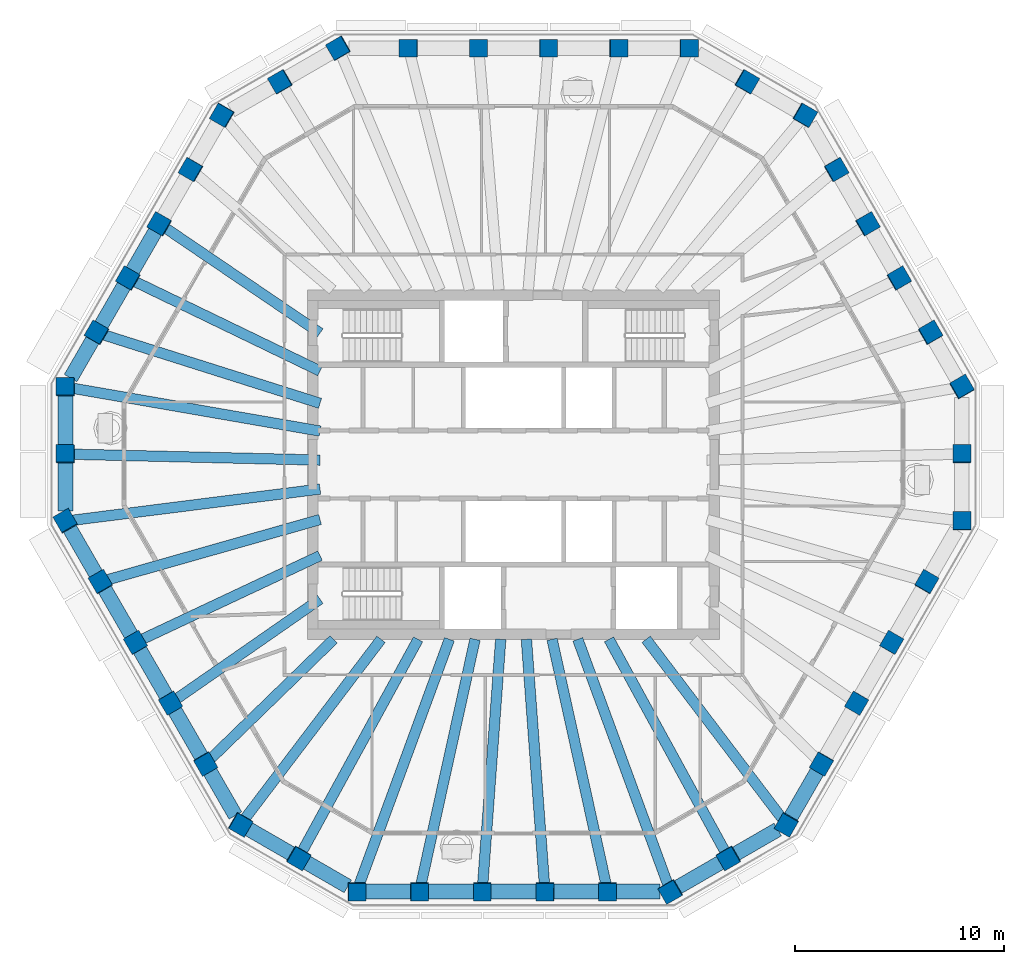
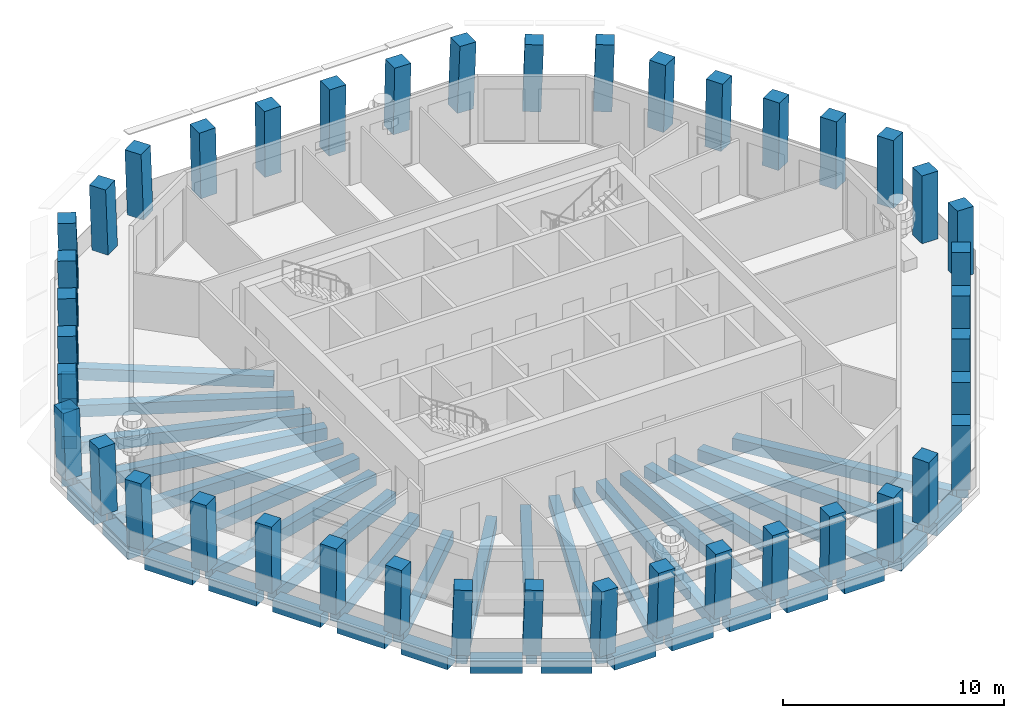
# One storey, part 1 of 11: 42 columns, 40 beams.
"""IFC4 building model written with IfcOpenShell, lengths in metres."""

import ifcopenshell
import ifcopenshell.guid

model = None  # the IFC model being written
_history = None  # IfcOwnerHistory: only IFC2X3 demands one
_inside = {}  # id of a spatial element -> (the spatial element, [elements in it])
_under = {}  # id of a project, library or spatial element -> (it, [spatial elements below it])
_declared = {}  # id of a project -> (the project, [libraries it declares])
_typed = {}  # id of a type object -> (the type object, [elements of that type])
_made_of = {}  # id of a material, layer set ... -> (it, [elements and type objects made of it])


def new_model(schema):
    """Start an empty IFC model of exactly this schema.

    Asked for "IFC4X3", IfcOpenShell would pick the latest addendum, in which some entities
    have other attributes; the version numbers below select the first issue.
    IFC2X3 requires an IfcOwnerHistory on every rooted entity: one is made here for all.
    """
    global model, _history
    if schema == "IFC4X3":
        model = ifcopenshell.file(schema_version=(4, 3, 0, 0))
    else:
        model = ifcopenshell.file(schema=schema)
    _inside.clear()
    _under.clear()
    _declared.clear()
    _typed.clear()
    _made_of.clear()
    _history = None
    if model.schema == "IFC2X3":
        org = make("IfcOrganization", Name="unknown")
        user = make(
            "IfcPersonAndOrganization",
            ThePerson=make("IfcPerson", FamilyName="unknown"),
            TheOrganization=org,
        )
        app = make(
            "IfcApplication",
            ApplicationDeveloper=org,
            Version="unknown",
            ApplicationFullName="unknown",
            ApplicationIdentifier="unknown",
        )
        _history = make(
            "IfcOwnerHistory",
            OwningUser=user,
            OwningApplication=app,
            ChangeAction="ADDED",
            CreationDate=0,
        )
    return model


def make(cls, **values):
    """One entity of the class cls with the attributes given. An attribute that is None is left unset."""
    return model.create_entity(
        cls, **{name: value for name, value in values.items() if value is not None}
    )


def rooted(cls, **values):
    """An entity with a GlobalId (a new one), such as an element, a storey or a relation."""
    return make(cls, GlobalId=ifcopenshell.guid.new(), OwnerHistory=_history, **values)


def si_unit(unit_type, name, prefix=None):
    """IfcSIUnit, for example si_unit("LENGTHUNIT", "METRE", prefix="MILLI")."""
    return make("IfcSIUnit", UnitType=unit_type, Prefix=prefix, Name=name)


def assignment(units):
    """IfcUnitAssignment: the units of a project."""
    return None if units is None else make("IfcUnitAssignment", Units=units)


def point(xyz):
    """IfcCartesianPoint."""
    return None if xyz is None else make("IfcCartesianPoint", Coordinates=xyz)


def direction(xyz):
    """IfcDirection."""
    return None if xyz is None else make("IfcDirection", DirectionRatios=xyz)


def frame(location, z_axis=None, x_axis=None):
    """IfcAxis2Placement3D, a coordinate frame: its origin and axes. An axis left out is left unset."""
    return make(
        "IfcAxis2Placement3D",
        Location=point(location),
        Axis=direction(z_axis),
        RefDirection=direction(x_axis),
    )


def frame_2d(location, x_axis=None):
    """IfcAxis2Placement2D, a coordinate frame in the plane: its origin and x axis."""
    return make(
        "IfcAxis2Placement2D", Location=point(location), RefDirection=direction(x_axis)
    )


def origin():
    """The frame at (0, 0, 0) with its axes left unset."""
    return frame((0.0, 0.0, 0.0))


def origin_2d():
    """The frame at (0, 0) in the plane with its x axis left unset."""
    return frame_2d((0.0, 0.0))


def place(relative_to, where):
    """IfcLocalPlacement: puts the frame where relative to a parent placement (None: the world)."""
    return make(
        "IfcLocalPlacement", PlacementRelTo=relative_to, RelativePlacement=where
    )


def context(
    kind, dimensions, precision=None, world=None, true_north=None, identifier=None
):
    """IfcGeometricRepresentationContext, for example the 3D "Model" context."""
    return make(
        "IfcGeometricRepresentationContext",
        ContextIdentifier=identifier,
        ContextType=kind,
        CoordinateSpaceDimension=dimensions,
        Precision=precision,
        WorldCoordinateSystem=world,
        TrueNorth=true_north,
    )


def subcontext(parent, identifier, kind, view, scale=None):
    """IfcGeometricRepresentationSubContext, for example "Body" below "Model"."""
    return make(
        "IfcGeometricRepresentationSubContext",
        ContextIdentifier=identifier,
        ContextType=kind,
        ParentContext=parent,
        TargetScale=scale,
        TargetView=view,
    )


def project(units=None, contexts=None):
    """IfcProject with its units and contexts."""
    return rooted(
        "IfcProject",
        Name="project",
        RepresentationContexts=contexts,
        UnitsInContext=assignment(units),
    )


def spatial(cls, under=None, at=None, **own):
    """A site, building, storey or space (cls), placed at a placement, below another one or the project."""
    s = rooted(cls, ObjectPlacement=at, **own)
    if under is not None:
        _under.setdefault(under.id(), (under, []))[1].append(s)
    return s


def profile(cls, at=None, kind="AREA", **sizes):
    """A parametric profile (cls). Its sizes go by their IFC names, for example OverallWidth=200.0."""
    return make(cls, ProfileType=kind, Position=at, **sizes)


def rectangle(**sizes):
    """IfcRectangleProfileDef."""
    return profile("IfcRectangleProfileDef", **sizes)


def extrude(swept, where, along, depth):
    """IfcExtrudedAreaSolid: the profile swept, set in the frame where, extruded along a direction by depth."""
    return make(
        "IfcExtrudedAreaSolid",
        SweptArea=swept,
        Position=where,
        ExtrudedDirection=direction(along),
        Depth=depth,
    )


def shape(context_of_items, identifier, shape_type, items):
    """IfcShapeRepresentation: the items that make up one representation, for example the "Body"."""
    return make(
        "IfcShapeRepresentation",
        ContextOfItems=context_of_items,
        RepresentationIdentifier=identifier,
        RepresentationType=shape_type,
        Items=items,
    )


def material(Name=None, Category=None):
    """IfcMaterial."""
    return make("IfcMaterial", Name=Name, Category=Category)


def material_profile(
    of_material, cross_section, Name=None, Category=None, Priority=None
):
    """IfcMaterialProfile: a cross section and its material."""
    return make(
        "IfcMaterialProfile",
        Name=Name,
        Material=of_material,
        Profile=cross_section,
        Priority=Priority,
        Category=Category,
    )


def profile_set(profiles, Name=None, composite=None):
    """IfcMaterialProfileSet."""
    return make(
        "IfcMaterialProfileSet",
        Name=Name,
        MaterialProfiles=profiles,
        CompositeProfile=composite,
    )


def made_of(thing, what):
    """Note that an element or type object is made of a material, layer set ...; save() writes the relation."""
    if what is not None:
        _made_of.setdefault(what.id(), (what, []))[1].append(thing)
    return thing


def type_object(cls, material=None, **own):
    """A type object (cls), such as IfcWallType, which elements share."""
    return made_of(rooted(cls, **own), material)


def element(
    cls,
    number,
    at=None,
    inside=None,
    cuts=None,
    type_object=None,
    material=None,
    context=None,
    identifier="Body",
    shape_type=None,
    held_by="IfcProductDefinitionShape",
    body=None,
    shapes=None,
    **own,
):
    """One element of the class cls, such as IfcWall. Its Tag is "e" and its number.

    at: its placement. inside: the storey or other place that contains it. cuts: it is an
    opening in that element (IfcRelVoidsElement). A single representation is given by context,
    identifier, shape_type and body (its items); several are given by shapes. held_by: the class
    of the entity that holds the representations. save() writes the other relations.
    """
    e = rooted(cls, Tag="e%d" % number, ObjectPlacement=at, **own)
    if body is not None:
        shapes = [shape(context, identifier, shape_type, body)]
    if shapes is not None:
        e.Representation = make(held_by, Representations=shapes)
    if inside is not None:
        _inside.setdefault(inside.id(), (inside, []))[1].append(e)
    if cuts is not None:
        rooted(
            "IfcRelVoidsElement", RelatingBuildingElement=cuts, RelatedOpeningElement=e
        )
    if type_object is not None:
        _typed.setdefault(type_object.id(), (type_object, []))[1].append(e)
    return made_of(e, material)


def aggregate(whole, parts):
    """IfcRelAggregates: a whole, such as a stair, and the parts it consists of."""
    return rooted("IfcRelAggregates", RelatingObject=whole, RelatedObjects=parts)


def save(model, path):
    """Write the relations noted so far, then the file.

    IfcRelAggregates (storeys below a building ...), IfcRelContainedInSpatialStructure (elements
    in a storey), IfcRelDefinesByType, IfcRelAssociatesMaterial and IfcRelDeclares: one each for
    every whole, place, type object, material and project.
    """
    for whole, parts in _under.values():
        aggregate(whole, parts)
    for where, things in _inside.values():
        rooted(
            "IfcRelContainedInSpatialStructure",
            RelatedElements=things,
            RelatingStructure=where,
        )
    for kind, things in _typed.values():
        rooted("IfcRelDefinesByType", RelatedObjects=things, RelatingType=kind)
    for what, things in _made_of.values():
        rooted("IfcRelAssociatesMaterial", RelatedObjects=things, RelatingMaterial=what)
    for by, libraries in _declared.values():
        rooted("IfcRelDeclares", RelatingContext=by, RelatedDefinitions=libraries)
    model.write(path)


model = new_model("IFC4")

# Units and contexts
model_context = context("Model", 3, precision=1e-05, world=origin(), true_north=direction((0.0, 1.0)))
body_context = subcontext(model_context, "Body", "Model", "MODEL_VIEW")
ifc_project = project(units=[si_unit("LENGTHUNIT", "METRE"), si_unit("AREAUNIT", "SQUARE_METRE"), si_unit("VOLUMEUNIT", "CUBIC_METRE"), si_unit("PLANEANGLEUNIT", "RADIAN"), si_unit("MASSUNIT", "GRAM", prefix="KILO")], contexts=[model_context])

# Site, building, storey
site_placement = place(None, origin())
site = spatial("IfcSite", under=ifc_project, at=site_placement, CompositionType="ELEMENT")
building_placement = place(site_placement, origin())
building = spatial("IfcBuilding", under=site, at=building_placement, Name="Frailejon Research Tower", CompositionType="ELEMENT")
storey_placement = place(building_placement, frame((0.0, 0.0, 324.60009765625)))
storey = spatial("IfcBuildingStorey", under=building, at=storey_placement, Name="L72", CompositionType="ELEMENT", Elevation=324.60009765625)

# Columns
ifc_material_1 = material(Name="Concrete C50/60", Category="concrete")
ifc_material_profile_1 = material_profile(ifc_material_1, rectangle(XDim=0.85009765625, YDim=0.85009765625, at=origin_2d()), Name="Column 850")
ifc_profile_set_1 = profile_set([ifc_material_profile_1], Name="Concrete C50/60")
column_type = type_object("IfcColumnType", Name="Column 850", PredefinedType="COLUMN", material=ifc_profile_set_1)
for number, where, z_axis, x_axis, name in (
    (1, (21.417724609375, -2.703125, 0.0), (0.018115165867, 0.031417446337, 0.999342176049), (-0.001297375745, 0.999506085267, -0.031399081689), "Column C01"),
    (2, (21.417724609375, 0.502685546875, 0.0), (0.018115165867, 0.031417446337, 0.999342176049), (-0.001297375745, 0.999506085267, -0.031399081689), "Column C02"),
    (3, (21.417724609375, 3.708984375, 0.0), (0.018115203871, 0.031350666477, 0.999344272561), (-0.50024246066, 0.865696385282, -0.018090026613), "Column C03"),
):
    element("IfcColumn", number, at=place(storey_placement, frame(where, z_axis=z_axis, x_axis=x_axis)), inside=storey, type_object=column_type, Name=name, PredefinedType="COLUMN", context=body_context, shape_type="SweptSolid", body=[
        extrude(rectangle(XDim=0.85009765625, YDim=0.85009765625, at=origin_2d()), origin(), (0.0, 0.0, 1.0), 3.65234375),
    ])
column_1_placement = place(storey_placement, frame((19.91845703125, 6.305908203125, 0.0), z_axis=(0.021727128018, 0.025136615799, 0.999447888814), x_axis=(-0.500981292203, 0.865389796007, -0.010874089855)))
element("IfcColumn", 4, at=column_1_placement, inside=storey, type_object=column_type, Name="Column C04", PredefinedType="COLUMN", context=body_context, shape_type="SweptSolid", body=[
    extrude(rectangle(XDim=0.85009765625, YDim=0.85009765625, at=origin_2d()), origin(), (0.0, 0.0, 1.0), 3.65185546875),
])
for number, where, z_axis, x_axis, name in (
    (5, (18.419189453125, 8.90283203125, 0.0), (0.025338523594, 0.018853466104, 0.999501128583), (-0.501175757197, 0.865337954228, -0.003617370643), "Column C05"),
    (6, (16.919677734375, 11.5, 0.0), (0.029015583354, 0.012568962375, 0.99949993352), (-0.499848966802, 0.86610502362, 0.003619177736), "Column C06"),
):
    element("IfcColumn", number, at=place(storey_placement, frame(where, z_axis=z_axis, x_axis=x_axis)), inside=storey, type_object=column_type, Name=name, PredefinedType="COLUMN", context=body_context, shape_type="SweptSolid", body=[
        extrude(rectangle(XDim=0.85009765625, YDim=0.85009765625, at=origin_2d()), origin(), (0.0, 0.0, 1.0), 3.651611328125),
    ])
column_2_placement = place(storey_placement, frame((15.42041015625, 14.096923828125, 0.0), z_axis=(0.032624119908, 0.006284154245, 0.999447935715), x_axis=(-0.499397268022, 0.866305114166, 0.010854393717)))
element("IfcColumn", 7, at=column_2_placement, inside=storey, type_object=column_type, Name="Column C07", PredefinedType="COLUMN", context=body_context, shape_type="SweptSolid", body=[
    extrude(rectangle(XDim=0.85009765625, YDim=0.85009765625, at=origin_2d()), origin(), (0.0, 0.0, 1.0), 3.65185546875),
])
for number, where, z_axis, x_axis, name in (
    (8, (13.9208984375, 16.69384765625, 0.0), (0.036297136169, 0.0, 0.99934104184), (-0.865312543657, 0.500246354177, 0.031429077673), "Column C08"),
    (9, (11.144287109375, 18.297119140625, 0.0), (0.036297136169, 0.0, 0.99934104184), (-0.865312543657, 0.500246354177, 0.031429077673), "Column C09"),
    (10, (8.367919921875, 19.89990234375, 0.0), (0.036230378439, 0.0, 0.99934346432), (-0.99934346432, 0.0, 0.036230378439), "Column C10"),
):
    element("IfcColumn", number, at=place(storey_placement, frame(where, z_axis=z_axis, x_axis=x_axis)), inside=storey, type_object=column_type, Name=name, PredefinedType="COLUMN", context=body_context, shape_type="SweptSolid", body=[
        extrude(rectangle(XDim=0.85009765625, YDim=0.85009765625, at=origin_2d()), origin(), (0.0, 0.0, 1.0), 3.65234375),
    ])
column_3_placement = place(storey_placement, frame((5.020751953125, 19.89990234375, 0.0), z_axis=(0.021733995409, 0.0, 0.999763788824), x_axis=(-0.999763788824, 0.0, 0.021733995409)))
element("IfcColumn", 11, at=column_3_placement, inside=storey, type_object=column_type, Name="Column C11", PredefinedType="COLUMN", context=body_context, shape_type="SweptSolid", body=[
    extrude(rectangle(XDim=0.85009765625, YDim=0.85009765625, at=origin_2d()), origin(), (0.0, 0.0, 1.0), 3.65087890625),
])
for number, where, z_axis, x_axis, name in (
    (12, (1.673583984375, 19.89990234375, 0.0), (0.00729077612, 0.0, 0.999973421939), (-0.999973421939, 0.0, 0.00729077612), "Column C12"),
    (13, (-1.673583984375, 19.89990234375, 0.0), (-0.00729077612, 0.0, 0.999973421939), (-0.999973421939, 0.0, -0.00729077612), "Column C13"),
):
    element("IfcColumn", number, at=place(storey_placement, frame(where, z_axis=z_axis, x_axis=x_axis)), inside=storey, type_object=column_type, Name=name, PredefinedType="COLUMN", context=body_context, shape_type="SweptSolid", body=[
        extrude(rectangle(XDim=0.85009765625, YDim=0.85009765625, at=origin_2d()), origin(), (0.0, 0.0, 1.0), 3.64990234375),
    ])
column_4_placement = place(storey_placement, frame((-5.020751953125, 19.89990234375, 0.0), z_axis=(-0.021733995409, 0.0, 0.999763788824), x_axis=(-0.999763788824, 0.0, -0.021733995409)))
element("IfcColumn", 14, at=column_4_placement, inside=storey, type_object=column_type, Name="Column C14", PredefinedType="COLUMN", context=body_context, shape_type="SweptSolid", body=[
    extrude(rectangle(XDim=0.85009765625, YDim=0.85009765625, at=origin_2d()), origin(), (0.0, 0.0, 1.0), 3.65087890625),
])
for number, where, z_axis, x_axis, name in (
    (15, (-8.367919921875, 19.89990234375, 0.0), (-0.036230378439, 0.0, 0.99934346432), (-0.865314641241, -0.500246354177, -0.031371273281), "Column C15"),
    (16, (-11.144287109375, 18.297119140625, 0.0), (-0.036297136169, 0.0, 0.99934104184), (-0.865312543657, -0.500246354177, -0.031429077673), "Column C16"),
    (17, (-13.9208984375, 16.69384765625, 0.0), (-0.036297136169, 0.0, 0.99934104184), (-0.49942428864, -0.866167613071, -0.018139624664), "Column C17"),
):
    element("IfcColumn", number, at=place(storey_placement, frame(where, z_axis=z_axis, x_axis=x_axis)), inside=storey, type_object=column_type, Name=name, PredefinedType="COLUMN", context=body_context, shape_type="SweptSolid", body=[
        extrude(rectangle(XDim=0.85009765625, YDim=0.85009765625, at=origin_2d()), origin(), (0.0, 0.0, 1.0), 3.65234375),
    ])
column_5_placement = place(storey_placement, frame((-15.42041015625, 14.096923828125, 0.0), z_axis=(-0.032624119908, 0.006284154245, 0.999447935715), x_axis=(-0.499397268022, -0.866305114166, -0.010854393717)))
element("IfcColumn", 18, at=column_5_placement, inside=storey, type_object=column_type, Name="Column C18", PredefinedType="COLUMN", context=body_context, shape_type="SweptSolid", body=[
    extrude(rectangle(XDim=0.85009765625, YDim=0.85009765625, at=origin_2d()), origin(), (0.0, 0.0, 1.0), 3.65185546875),
])
for number, where, z_axis, x_axis, name in (
    (19, (-16.919677734375, 11.5, 0.0), (-0.029015583354, 0.012568962375, 0.99949993352), (-0.499848966802, -0.86610502362, -0.003619177736), "Column C19"),
    (20, (-18.419189453125, 8.90283203125, 0.0), (-0.025338523594, 0.018853466104, 0.999501128583), (-0.501175757197, -0.865337954228, 0.003617370643), "Column C20"),
):
    element("IfcColumn", number, at=place(storey_placement, frame(where, z_axis=z_axis, x_axis=x_axis)), inside=storey, type_object=column_type, Name=name, PredefinedType="COLUMN", context=body_context, shape_type="SweptSolid", body=[
        extrude(rectangle(XDim=0.85009765625, YDim=0.85009765625, at=origin_2d()), origin(), (0.0, 0.0, 1.0), 3.651611328125),
    ])
column_6_placement = place(storey_placement, frame((-19.91845703125, 6.305908203125, 0.0), z_axis=(-0.021727128018, 0.025136615799, 0.999447888814), x_axis=(-0.500981292203, -0.865389796007, 0.010874089855)))
element("IfcColumn", 21, at=column_6_placement, inside=storey, type_object=column_type, Name="Column C21", PredefinedType="COLUMN", context=body_context, shape_type="SweptSolid", body=[
    extrude(rectangle(XDim=0.85009765625, YDim=0.85009765625, at=origin_2d()), origin(), (0.0, 0.0, 1.0), 3.65185546875),
])
for number, where, z_axis, x_axis, name in (
    (22, (-21.417724609375, 3.708984375, 0.0), (-0.018115203871, 0.031350666477, 0.999344272561), (-0.000374749584, -0.999508428335, 0.031349023127), "Column C22"),
    (23, (-21.417724609375, 0.502685546875, 0.0), (-0.018115165867, 0.031417446337, 0.999342176049), (-0.001297375745, -0.999506085267, 0.031399081689), "Column C23"),
    (24, (-21.417724609375, -2.703125, 0.0), (-0.018115165867, 0.031417446337, 0.999342176049), (0.499040470376, -0.865819492615, 0.036265894916), "Column C24"),
):
    element("IfcColumn", number, at=place(storey_placement, frame(where, z_axis=z_axis, x_axis=x_axis)), inside=storey, type_object=column_type, Name=name, PredefinedType="COLUMN", context=body_context, shape_type="SweptSolid", body=[
        extrude(rectangle(XDim=0.85009765625, YDim=0.85009765625, at=origin_2d()), origin(), (0.0, 0.0, 1.0), 3.65234375),
    ])
column_7_placement = place(storey_placement, frame((-19.744384765625, -5.601806640625, 0.0), z_axis=(-0.010833570963, 0.018791564448, 0.999764727746), x_axis=(0.499616210892, -0.865975261025, 0.021690760837)))
element("IfcColumn", 25, at=column_7_placement, inside=storey, type_object=column_type, Name="Column C25", PredefinedType="COLUMN", context=body_context, shape_type="SweptSolid", body=[
    extrude(rectangle(XDim=0.85009765625, YDim=0.85009765625, at=origin_2d()), origin(), (0.0, 0.0, 1.0), 3.65087890625),
])
for number, where, z_axis, x_axis, name in (
    (26, (-18.07080078125, -8.50048828125, 0.0), (-0.003611946686, 0.006220574848, 0.99997412881), (0.501902146393, -0.864894498618, 0.007193170855), "Column C26"),
    (27, (-16.397216796875, -11.3994140625, 0.0), (0.003678832152, -0.006287458586, 0.999973466677), (0.504779041216, -0.863217848293, -0.007284637124), "Column C27"),
):
    element("IfcColumn", number, at=place(storey_placement, frame(where, z_axis=z_axis, x_axis=x_axis)), inside=storey, type_object=column_type, Name=name, PredefinedType="COLUMN", context=body_context, shape_type="SweptSolid", body=[
        extrude(rectangle(XDim=0.85009765625, YDim=0.85009765625, at=origin_2d()), origin(), (0.0, 0.0, 1.0), 3.64990234375),
    ])
column_8_placement = place(storey_placement, frame((-14.7236328125, -14.298095703125, 0.0), z_axis=(0.010900423214, -0.018858400897, 0.999762742599), x_axis=(0.499728924135, -0.865907930491, -0.021782063614)))
element("IfcColumn", 28, at=column_8_placement, inside=storey, type_object=column_type, Name="Column C28", PredefinedType="COLUMN", context=body_context, shape_type="SweptSolid", body=[
    extrude(rectangle(XDim=0.85009765625, YDim=0.85009765625, at=origin_2d()), origin(), (0.0, 0.0, 1.0), 3.65087890625),
])
for number, where, z_axis, x_axis, name in (
    (29, (-13.050048828125, -17.19677734375, 0.0), (0.018115165867, -0.031417446337, 0.999342176049), (0.865519692755, -0.499889378995, -0.031404939456), "Column C29"),
    (30, (-10.2734375, -18.7998046875, 0.0), (0.018115165867, -0.031417446337, 0.999342176049), (0.865519692755, -0.499889378995, -0.031404939456), "Column C30"),
    (31, (-7.496826171875, -20.40283203125, 0.0), (0.018115165867, -0.031417446337, 0.999342176049), (0.999835642796, -0.000157281862, -0.01812905563), "Column C31"),
):
    element("IfcColumn", number, at=place(storey_placement, frame(where, z_axis=z_axis, x_axis=x_axis)), inside=storey, type_object=column_type, Name=name, PredefinedType="COLUMN", context=body_context, shape_type="SweptSolid", body=[
        extrude(rectangle(XDim=0.85009765625, YDim=0.85009765625, at=origin_2d()), origin(), (0.0, 0.0, 1.0), 3.65234375),
    ])
column_9_placement = place(storey_placement, frame((-4.498291015625, -20.40283203125, 0.0), z_axis=(0.010896978963, -0.031420736888, 0.99944684358), x_axis=(0.999940625187, 0.000298260455, -0.010892985919)))
element("IfcColumn", 32, at=column_9_placement, inside=storey, type_object=column_type, Name="Column C32", PredefinedType="COLUMN", context=body_context, shape_type="SweptSolid", body=[
    extrude(rectangle(XDim=0.85009765625, YDim=0.85009765625, at=origin_2d()), origin(), (0.0, 0.0, 1.0), 3.65185546875),
])
for number, where, z_axis, x_axis, name in (
    (33, (-1.49951171875, -20.40283203125, 0.0), (0.003677088207, -0.031422390136, 0.999499430926), (0.999991889166, 0.001758100758, -0.003623628532), "Column C33"),
    (34, (1.49951171875, -20.40283203125, 0.0), (-0.003677088207, -0.031422390136, 0.999499430926), (0.999991889166, -0.001758100758, 0.003623628532), "Column C34"),
):
    element("IfcColumn", number, at=place(storey_placement, frame(where, z_axis=z_axis, x_axis=x_axis)), inside=storey, type_object=column_type, Name=name, PredefinedType="COLUMN", context=body_context, shape_type="SweptSolid", body=[
        extrude(rectangle(XDim=0.85009765625, YDim=0.85009765625, at=origin_2d()), origin(), (0.0, 0.0, 1.0), 3.651611328125),
    ])
column_10_placement = place(storey_placement, frame((4.498291015625, -20.40283203125, 0.0), z_axis=(-0.010896978963, -0.031420736888, 0.99944684358), x_axis=(0.999940625187, -0.000298260455, 0.010892985919)))
element("IfcColumn", 35, at=column_10_placement, inside=storey, type_object=column_type, Name="Column C35", PredefinedType="COLUMN", context=body_context, shape_type="SweptSolid", body=[
    extrude(rectangle(XDim=0.85009765625, YDim=0.85009765625, at=origin_2d()), origin(), (0.0, 0.0, 1.0), 3.65185546875),
])
for number, where, z_axis, x_axis, name in (
    (36, (7.496826171875, -20.40283203125, 0.0), (-0.018115165867, -0.031417446337, 0.999342176049), (0.865519692755, 0.499889378995, 0.031404939456), "Column C36"),
    (37, (10.2734375, -18.7998046875, 0.0), (-0.018115165867, -0.031417446337, 0.999342176049), (0.865519692755, 0.499889378995, 0.031404939456), "Column C37"),
    (38, (13.050048828125, -17.19677734375, 0.0), (-0.018115165867, -0.031417446337, 0.999342176049), (0.499040470376, 0.865819492615, 0.036265894916), "Column C38"),
):
    element("IfcColumn", number, at=place(storey_placement, frame(where, z_axis=z_axis, x_axis=x_axis)), inside=storey, type_object=column_type, Name=name, PredefinedType="COLUMN", context=body_context, shape_type="SweptSolid", body=[
        extrude(rectangle(XDim=0.85009765625, YDim=0.85009765625, at=origin_2d()), origin(), (0.0, 0.0, 1.0), 3.65234375),
    ])
column_11_placement = place(storey_placement, frame((14.7236328125, -14.298095703125, 0.0), z_axis=(-0.010900423214, -0.018858400897, 0.999762742599), x_axis=(0.499728924135, 0.865907930491, 0.021782063614)))
element("IfcColumn", 39, at=column_11_placement, inside=storey, type_object=column_type, Name="Column C39", PredefinedType="COLUMN", context=body_context, shape_type="SweptSolid", body=[
    extrude(rectangle(XDim=0.85009765625, YDim=0.85009765625, at=origin_2d()), origin(), (0.0, 0.0, 1.0), 3.65087890625),
])
for number, where, z_axis, x_axis, name in (
    (40, (16.397216796875, -11.3994140625, 0.0), (-0.003678832152, -0.006287458586, 0.999973466677), (0.504779041216, 0.863217848293, 0.007284637124), "Column C40"),
    (41, (18.07080078125, -8.50048828125, 0.0), (0.003611946686, 0.006220574848, 0.99997412881), (0.501902146393, 0.864894498618, -0.007193170855), "Column C41"),
):
    element("IfcColumn", number, at=place(storey_placement, frame(where, z_axis=z_axis, x_axis=x_axis)), inside=storey, type_object=column_type, Name=name, PredefinedType="COLUMN", context=body_context, shape_type="SweptSolid", body=[
        extrude(rectangle(XDim=0.85009765625, YDim=0.85009765625, at=origin_2d()), origin(), (0.0, 0.0, 1.0), 3.64990234375),
    ])
column_12_placement = place(storey_placement, frame((19.744384765625, -5.601806640625, 0.0), z_axis=(0.010833570963, 0.018791564448, 0.999764727746), x_axis=(0.499616210892, 0.865975261025, -0.021690760837)))
element("IfcColumn", 42, at=column_12_placement, inside=storey, type_object=column_type, Name="Column C42", PredefinedType="COLUMN", context=body_context, shape_type="SweptSolid", body=[
    extrude(rectangle(XDim=0.85009765625, YDim=0.85009765625, at=origin_2d()), origin(), (0.0, 0.0, 1.0), 3.65087890625),
])

# Beams
ifc_material_2 = material(Name="Concrete C60/75", Category="concrete")
ifc_material_profile_2 = material_profile(ifc_material_2, rectangle(XDim=0.5, YDim=0.64990234375, at=origin_2d()), Name="Girder 500x650")
ifc_profile_set_2 = profile_set([ifc_material_profile_2], Name="Concrete C60/75")
beam_type_1 = type_object("IfcBeamType", Name="Girder 500x650", PredefinedType="BEAM", material=ifc_profile_set_2)
beam_1_placement = place(storey_placement, frame((-16.69140625, 11.3447265625, -0.625), z_axis=(0.827057698613, -0.562117036892, 0.0), x_axis=(0.562117036892, 0.827057698613, 0.0)))
element("IfcBeam", 43, at=beam_1_placement, inside=storey, type_object=beam_type_1, Name="Girder 500x650", PredefinedType="BEAM", context=body_context, shape_type="SweptSolid", body=[
    extrude(rectangle(XDim=0.5, YDim=0.64990234375, at=origin_2d()), origin(), (0.0, 0.0, 1.0), 8.99755859375),
])
beam_2_placement = place(storey_placement, frame((-18.17041015625, 8.78271484375, -0.625), z_axis=(0.900339619946, -0.435187969453, 0.0), x_axis=(0.435187969453, 0.900339619946, 0.0)))
element("IfcBeam", 44, at=beam_2_placement, inside=storey, type_object=beam_type_1, Name="Girder 500x650", PredefinedType="BEAM", context=body_context, shape_type="SweptSolid", body=[
    extrude(rectangle(XDim=0.5, YDim=0.64990234375, at=origin_2d()), origin(), (0.0, 0.0, 1.0), 9.90771484375),
])
beam_3_placement = place(storey_placement, frame((-19.646484375, 6.2197265625, -0.625), z_axis=(0.953367565963, -0.301811670035, 0.0), x_axis=(0.301811670035, 0.953367565963, 0.0)))
element("IfcBeam", 45, at=beam_3_placement, inside=storey, type_object=beam_type_1, Name="Girder 500x650", PredefinedType="BEAM", context=body_context, shape_type="SweptSolid", body=[
    extrude(rectangle(XDim=0.5, YDim=0.64990234375, at=origin_2d()), origin(), (0.0, 0.0, 1.0), 10.905029296875),
])
beam_4_placement = place(storey_placement, frame((-21.140625, 3.660888671875, -0.625), z_axis=(0.985335334084, -0.170629069638, 0.0), x_axis=(0.170629069638, 0.985335334084, 0.0)))
element("IfcBeam", 46, at=beam_4_placement, inside=storey, type_object=beam_type_1, Name="Girder 500x650", PredefinedType="BEAM", context=body_context, shape_type="SweptSolid", body=[
    extrude(rectangle(XDim=0.5, YDim=0.64990234375, at=origin_2d()), origin(), (0.0, 0.0, 1.0), 12.067626953125),
])
beam_5_placement = place(storey_placement, frame((-21.142822265625, 0.496337890625, -0.625), z_axis=(0.99972483485, -0.023457505927, 0.0), x_axis=(0.023457505927, 0.99972483485, 0.0)))
element("IfcBeam", 47, at=beam_5_placement, inside=storey, type_object=beam_type_1, Name="Girder 500x650", PredefinedType="BEAM", context=body_context, shape_type="SweptSolid", body=[
    extrude(rectangle(XDim=0.5, YDim=0.64990234375, at=origin_2d()), origin(), (0.0, 0.0, 1.0), 11.89599609375),
])
beam_6_placement = place(storey_placement, frame((-21.109130859375, -2.664306640625, -0.625), z_axis=(0.992128535535, 0.125223675787, 0.0), x_axis=(-0.125223675787, 0.992128535535, 0.0)))
element("IfcBeam", 48, at=beam_6_placement, inside=storey, type_object=beam_type_1, Name="Girder 500x650", PredefinedType="BEAM", context=body_context, shape_type="SweptSolid", body=[
    extrude(rectangle(XDim=0.5, YDim=0.64990234375, at=origin_2d()), origin(), (0.0, 0.0, 1.0), 11.953125),
])
beam_7_placement = place(storey_placement, frame((-19.466796875, -5.523193359375, -0.625), z_axis=(0.962029792771, 0.272944459223, 0.0), x_axis=(-0.272944459223, 0.962029792771, 0.0)))
element("IfcBeam", 49, at=beam_7_placement, inside=storey, type_object=beam_type_1, Name="Girder 500x650", PredefinedType="BEAM", context=body_context, shape_type="SweptSolid", body=[
    extrude(rectangle(XDim=0.5, YDim=0.64990234375, at=origin_2d()), origin(), (0.0, 0.0, 1.0), 10.6201171875),
])
beam_8_placement = place(storey_placement, frame((-17.820556640625, -8.3828125, -0.625), z_axis=(0.90488820669, 0.425649307992, 0.0), x_axis=(-0.425649307992, 0.90488820669, 0.0)))
element("IfcBeam", 50, at=beam_8_placement, inside=storey, type_object=beam_type_1, Name="Girder 500x650", PredefinedType="BEAM", context=body_context, shape_type="SweptSolid", body=[
    extrude(rectangle(XDim=0.5, YDim=0.64990234375, at=origin_2d()), origin(), (0.0, 0.0, 1.0), 9.471435546875),
])
beam_9_placement = place(storey_placement, frame((-16.170166015625, -11.24169921875, -0.625), z_axis=(0.821071662985, 0.570825125799, 0.0), x_axis=(-0.570825125799, 0.821071662985, 0.0)))
element("IfcBeam", 51, at=beam_9_placement, inside=storey, type_object=beam_type_1, Name="Girder 500x650", PredefinedType="BEAM", context=body_context, shape_type="SweptSolid", body=[
    extrude(rectangle(XDim=0.5, YDim=0.64990234375, at=origin_2d()), origin(), (0.0, 0.0, 1.0), 8.42822265625),
])
beam_10_placement = place(storey_placement, frame((-14.516845703125, -14.09716796875, -0.625), z_axis=(0.7174179775, 0.696642982854, 0.0), x_axis=(-0.696642982854, 0.7174179775, 0.0)))
element("IfcBeam", 52, at=beam_10_placement, inside=storey, type_object=beam_type_1, Name="Girder 500x650", PredefinedType="BEAM", context=body_context, shape_type="SweptSolid", body=[
    extrude(rectangle(XDim=0.5, YDim=0.64990234375, at=origin_2d()), origin(), (0.0, 0.0, 1.0), 8.249755859375),
])
beam_11_placement = place(storey_placement, frame((-12.881591796875, -16.97509765625, -0.625), z_axis=(0.604507386357, 0.796599535425, 0.0), x_axis=(-0.796599535425, 0.604507386357, 0.0)))
element("IfcBeam", 53, at=beam_11_placement, inside=storey, type_object=beam_type_1, Name="Girder 500x650", PredefinedType="BEAM", context=body_context, shape_type="SweptSolid", body=[
    extrude(rectangle(XDim=0.5, YDim=0.64990234375, at=origin_2d()), origin(), (0.0, 0.0, 1.0), 10.827392578125),
])
beam_12_placement = place(storey_placement, frame((-10.1416015625, -18.558349609375, -0.625), z_axis=(0.479546012428, 0.877516736002, 0.0), x_axis=(-0.877516736002, 0.479546012428, 0.0)))
element("IfcBeam", 54, at=beam_12_placement, inside=storey, type_object=beam_type_1, Name="Girder 500x650", PredefinedType="BEAM", context=body_context, shape_type="SweptSolid", body=[
    extrude(rectangle(XDim=0.5, YDim=0.64990234375, at=origin_2d()), origin(), (0.0, 0.0, 1.0), 11.633056640625),
])
beam_13_placement = place(storey_placement, frame((-7.392578125, -20.11865234375, -0.625), z_axis=(0.344910248484, 0.938635669731, 0.0), x_axis=(-0.938635669731, 0.344910248484, 0.0)))
element("IfcBeam", 55, at=beam_13_placement, inside=storey, type_object=beam_type_1, Name="Girder 500x650", PredefinedType="BEAM", context=body_context, shape_type="SweptSolid", body=[
    extrude(rectangle(XDim=0.5, YDim=0.64990234375, at=origin_2d()), origin(), (0.0, 0.0, 1.0), 12.537841796875),
])
beam_14_placement = place(storey_placement, frame((-4.436767578125, -20.124267578125, -0.625), z_axis=(0.215307144648, 0.9765463806, 0.0), x_axis=(-0.9765463806, 0.215307144648, 0.0)))
element("IfcBeam", 56, at=beam_14_placement, inside=storey, type_object=beam_type_1, Name="Girder 500x650", PredefinedType="BEAM", context=body_context, shape_type="SweptSolid", body=[
    extrude(rectangle(XDim=0.5, YDim=0.64990234375, at=origin_2d()), origin(), (0.0, 0.0, 1.0), 12.056884765625),
])
for number, where, z_axis, x_axis, name in (
    (57, (-1.479248046875, -20.12744140625, -0.625), (0.073309670714, 0.997309225957, 0.0), (-0.997309225957, 0.073309670714, 0.0), "Girder 500x650"),
    (58, (1.479248046875, -20.12744140625, -0.625), (-0.073309670714, 0.997309225957, 0.0), (-0.997309225957, -0.073309670714, 0.0), "Girder 500x650"),
):
    element("IfcBeam", number, at=place(storey_placement, frame(where, z_axis=z_axis, x_axis=x_axis)), inside=storey, type_object=beam_type_1, Name=name, PredefinedType="BEAM", context=body_context, shape_type="SweptSolid", body=[
        extrude(rectangle(XDim=0.5, YDim=0.64990234375, at=origin_2d()), origin(), (0.0, 0.0, 1.0), 11.80908203125),
    ])
beam_15_placement = place(storey_placement, frame((4.436767578125, -20.124267578125, -0.625), z_axis=(-0.215307144648, 0.9765463806, 0.0), x_axis=(-0.9765463806, -0.215307144648, 0.0)))
element("IfcBeam", 59, at=beam_15_placement, inside=storey, type_object=beam_type_1, Name="Girder 500x650", PredefinedType="BEAM", context=body_context, shape_type="SweptSolid", body=[
    extrude(rectangle(XDim=0.5, YDim=0.64990234375, at=origin_2d()), origin(), (0.0, 0.0, 1.0), 12.056884765625),
])
beam_16_placement = place(storey_placement, frame((7.39990234375, -20.138671875, -0.625), z_axis=(-0.344907993791, 0.938636498235, 0.0), x_axis=(-0.938636498235, -0.344907993791, 0.0)))
element("IfcBeam", 60, at=beam_16_placement, inside=storey, type_object=beam_type_1, Name="Girder 500x650", PredefinedType="BEAM", context=body_context, shape_type="SweptSolid", body=[
    extrude(rectangle(XDim=0.5, YDim=0.64990234375, at=origin_2d()), origin(), (0.0, 0.0, 1.0), 12.559326171875),
])
beam_17_placement = place(storey_placement, frame((10.1416015625, -18.558349609375, -0.625), z_axis=(-0.479546012428, 0.877516736002, 0.0), x_axis=(-0.877516736002, -0.479546012428, 0.0)))
element("IfcBeam", 61, at=beam_17_placement, inside=storey, type_object=beam_type_1, Name="Girder 500x650", PredefinedType="BEAM", context=body_context, shape_type="SweptSolid", body=[
    extrude(rectangle(XDim=0.5, YDim=0.64990234375, at=origin_2d()), origin(), (0.0, 0.0, 1.0), 11.633056640625),
])
beam_18_placement = place(storey_placement, frame((12.862060546875, -16.948974609375, -0.625), z_axis=(-0.604524579892, 0.79658648765, 0.0), x_axis=(-0.79658648765, -0.604524579892, 0.0)))
element("IfcBeam", 62, at=beam_18_placement, inside=storey, type_object=beam_type_1, Name="Girder 500x650", PredefinedType="BEAM", context=body_context, shape_type="SweptSolid", body=[
    extrude(rectangle(XDim=0.5, YDim=0.64990234375, at=origin_2d()), origin(), (0.0, 0.0, 1.0), 10.794677734375),
])
ifc_material_3 = material(Name="Concrete C60/75", Category="concrete")
ifc_material_profile_3 = material_profile(ifc_material_3, rectangle(XDim=0.699951171875, YDim=0.699951171875, at=origin_2d()), Name="Spandrel 700x700")
ifc_profile_set_3 = profile_set([ifc_material_profile_3], Name="Concrete C60/75")
beam_type_2 = type_object("IfcBeamType", Name="Spandrel 700x700", PredefinedType="BEAM", material=ifc_profile_set_3)
for number, where, z_axis, x_axis, name in (
    (63, (-17.132080078125, 11.1318359375, -0.7001953125), (-0.500037174102, -0.866003940243, 0.0), (0.866003940243, -0.500037174102, 0.0), "Spandrel 700x700"),
    (64, (-18.631591796875, 8.534912109375, -0.7001953125), (-0.499951956822, -0.866053139749, 0.0), (0.866053139749, -0.499951956822, 0.0), "Spandrel 700x700"),
):
    element("IfcBeam", number, at=place(storey_placement, frame(where, z_axis=z_axis, x_axis=x_axis)), inside=storey, type_object=beam_type_2, Name=name, PredefinedType="BEAM", context=body_context, shape_type="SweptSolid", body=[
        extrude(rectangle(XDim=0.699951171875, YDim=0.699951171875, at=origin_2d()), origin(), (0.0, 0.0, 1.0), 2.148681640625),
    ])
beam_19_placement = place(storey_placement, frame((-20.130859375, 5.937744140625, -0.7001953125), z_axis=(-0.499996383721, -0.866027491634, 0.0), x_axis=(0.866027491634, -0.499996383721, 0.0)))
element("IfcBeam", 65, at=beam_19_placement, inside=storey, type_object=beam_type_2, Name="Spandrel 700x700", PredefinedType="BEAM", context=body_context, shape_type="SweptSolid", body=[
    extrude(rectangle(XDim=0.699951171875, YDim=0.699951171875, at=origin_2d()), origin(), (0.0, 0.0, 1.0), 2.0830078125),
])
beam_20_placement = place(storey_placement, frame((-21.417724609375, 3.283935546875, -0.7001953125), z_axis=(0.0, -1.0, 0.0), x_axis=(1.0, 0.0, 0.0)))
element("IfcBeam", 66, at=beam_20_placement, inside=storey, type_object=beam_type_2, Name="Spandrel 700x700", PredefinedType="BEAM", context=body_context, shape_type="SweptSolid", body=[
    extrude(rectangle(XDim=0.699951171875, YDim=0.699951171875, at=origin_2d()), origin(), (0.0, 0.0, 1.0), 2.356201171875),
])
beam_21_placement = place(storey_placement, frame((-21.417724609375, 0.077880859375, -0.7001953125), z_axis=(0.0, -1.0, 0.0), x_axis=(1.0, 0.0, 0.0)))
element("IfcBeam", 67, at=beam_21_placement, inside=storey, type_object=beam_type_2, Name="Spandrel 700x700", PredefinedType="BEAM", context=body_context, shape_type="SweptSolid", body=[
    extrude(rectangle(XDim=0.699951171875, YDim=0.699951171875, at=origin_2d()), origin(), (0.0, 0.0, 1.0), 2.290283203125),
])
for number, where, z_axis, x_axis, name in (
    (68, (-21.205322265625, -3.0712890625, -0.7001953125), (0.499987630939, -0.866032544947, 0.0), (0.866032544947, 0.499987630939, 0.0), "Spandrel 700x700"),
    (69, (-19.53173828125, -5.969970703125, -0.7001953125), (0.499987630939, -0.866032544947, 0.0), (0.866032544947, 0.499987630939, 0.0), "Spandrel 700x700"),
    (70, (-17.858154296875, -8.86865234375, -0.7001953125), (0.499987630939, -0.866032544947, 0.0), (0.866032544947, 0.499987630939, 0.0), "Spandrel 700x700"),
):
    element("IfcBeam", number, at=place(storey_placement, frame(where, z_axis=z_axis, x_axis=x_axis)), inside=storey, type_object=beam_type_2, Name=name, PredefinedType="BEAM", context=body_context, shape_type="SweptSolid", body=[
        extrude(rectangle(XDim=0.699951171875, YDim=0.699951171875, at=origin_2d()), origin(), (0.0, 0.0, 1.0), 2.4970703125),
    ])
beam_22_placement = place(storey_placement, frame((-16.1845703125, -11.767578125, -0.7001953125), z_axis=(0.50002996819, -0.86600810095, 0.0), x_axis=(0.86600810095, 0.50002996819, 0.0)))
element("IfcBeam", 71, at=beam_22_placement, inside=storey, type_object=beam_type_2, Name="Spandrel 700x700", PredefinedType="BEAM", context=body_context, shape_type="SweptSolid", body=[
    extrude(rectangle(XDim=0.699951171875, YDim=0.699951171875, at=origin_2d()), origin(), (0.0, 0.0, 1.0), 2.496826171875),
])
beam_23_placement = place(storey_placement, frame((-14.510986328125, -14.666259765625, -0.7001953125), z_axis=(0.499994824194, -0.866028392017, 0.0), x_axis=(0.866028392017, 0.499994824194, 0.0)))
element("IfcBeam", 72, at=beam_23_placement, inside=storey, type_object=beam_type_2, Name="Spandrel 700x700", PredefinedType="BEAM", context=body_context, shape_type="SweptSolid", body=[
    extrude(rectangle(XDim=0.699951171875, YDim=0.699951171875, at=origin_2d()), origin(), (0.0, 0.0, 1.0), 2.43115234375),
])
beam_24_placement = place(storey_placement, frame((-12.681884765625, -17.4091796875, -0.7001953125), z_axis=(0.86597676952, -0.500084227558, 0.0), x_axis=(0.500084227558, 0.86597676952, 0.0)))
element("IfcBeam", 73, at=beam_24_placement, inside=storey, type_object=beam_type_2, Name="Spandrel 700x700", PredefinedType="BEAM", context=body_context, shape_type="SweptSolid", body=[
    extrude(rectangle(XDim=0.699951171875, YDim=0.699951171875, at=origin_2d()), origin(), (0.0, 0.0, 1.0), 2.35595703125),
])
beam_25_placement = place(storey_placement, frame((-9.905517578125, -19.01220703125, -0.7001953125), z_axis=(0.866024062422, -0.500002323301, 0.0), x_axis=(0.500002323301, 0.866024062422, 0.0)))
element("IfcBeam", 74, at=beam_25_placement, inside=storey, type_object=beam_type_2, Name="Spandrel 700x700", PredefinedType="BEAM", context=body_context, shape_type="SweptSolid", body=[
    extrude(rectangle(XDim=0.699951171875, YDim=0.699951171875, at=origin_2d()), origin(), (0.0, 0.0, 1.0), 2.29052734375),
])
for number, where, z_axis, x_axis, name in (
    (75, (-7.072021484375, -20.40283203125, -0.7001953125), (1.0, 0.0, 0.0), (0.0, 1.0, 0.0), "Spandrel 700x700"),
    (76, (-4.0732421875, -20.40283203125, -0.7001953125), (1.0, 0.0, 0.0), (0.0, 1.0, 0.0), "Spandrel 700x700"),
    (77, (-1.074462890625, -20.40283203125, -0.7001953125), (1.0, 0.0, 0.0), (0.0, 1.0, 0.0), "Spandrel 700x700"),
    (78, (1.92431640625, -20.40283203125, -0.7001953125), (1.0, 0.0, 0.0), (0.0, 1.0, 0.0), "Spandrel 700x700"),
):
    element("IfcBeam", number, at=place(storey_placement, frame(where, z_axis=z_axis, x_axis=x_axis)), inside=storey, type_object=beam_type_2, Name=name, PredefinedType="BEAM", context=body_context, shape_type="SweptSolid", body=[
        extrude(rectangle(XDim=0.699951171875, YDim=0.699951171875, at=origin_2d()), origin(), (0.0, 0.0, 1.0), 2.14892578125),
    ])
beam_26_placement = place(storey_placement, frame((4.923095703125, -20.40283203125, -0.7001953125), z_axis=(1.0, 0.0, 0.0), x_axis=(0.0, 1.0, 0.0)))
element("IfcBeam", 79, at=beam_26_placement, inside=storey, type_object=beam_type_2, Name="Spandrel 700x700", PredefinedType="BEAM", context=body_context, shape_type="SweptSolid", body=[
    extrude(rectangle(XDim=0.699951171875, YDim=0.699951171875, at=origin_2d()), origin(), (0.0, 0.0, 1.0), 2.0830078125),
])
beam_27_placement = place(storey_placement, frame((7.864990234375, -20.190185546875, -0.7001953125), z_axis=(0.866047547699, 0.499961643653, 0.0), x_axis=(-0.499961643653, 0.866047547699, 0.0)))
element("IfcBeam", 80, at=beam_27_placement, inside=storey, type_object=beam_type_2, Name="Spandrel 700x700", PredefinedType="BEAM", context=body_context, shape_type="SweptSolid", body=[
    extrude(rectangle(XDim=0.699951171875, YDim=0.699951171875, at=origin_2d()), origin(), (0.0, 0.0, 1.0), 2.356201171875),
])
beam_28_placement = place(storey_placement, frame((10.6416015625, -18.58740234375, -0.7001953125), z_axis=(0.86599741159, 0.500048480769, 0.0), x_axis=(-0.500048480769, 0.86599741159, 0.0)))
element("IfcBeam", 81, at=beam_28_placement, inside=storey, type_object=beam_type_2, Name="Spandrel 700x700", PredefinedType="BEAM", context=body_context, shape_type="SweptSolid", body=[
    extrude(rectangle(XDim=0.699951171875, YDim=0.699951171875, at=origin_2d()), origin(), (0.0, 0.0, 1.0), 2.290283203125),
])
beam_29_placement = place(storey_placement, frame((13.262451171875, -16.82861328125, -0.7001953125), z_axis=(0.50002996819, 0.86600810095, 0.0), x_axis=(-0.86600810095, 0.50002996819, 0.0)))
element("IfcBeam", 82, at=beam_29_placement, inside=storey, type_object=beam_type_2, Name="Spandrel 700x700", PredefinedType="BEAM", context=body_context, shape_type="SweptSolid", body=[
    extrude(rectangle(XDim=0.699951171875, YDim=0.699951171875, at=origin_2d()), origin(), (0.0, 0.0, 1.0), 2.496826171875),
])

save(model, "model.ifc")
